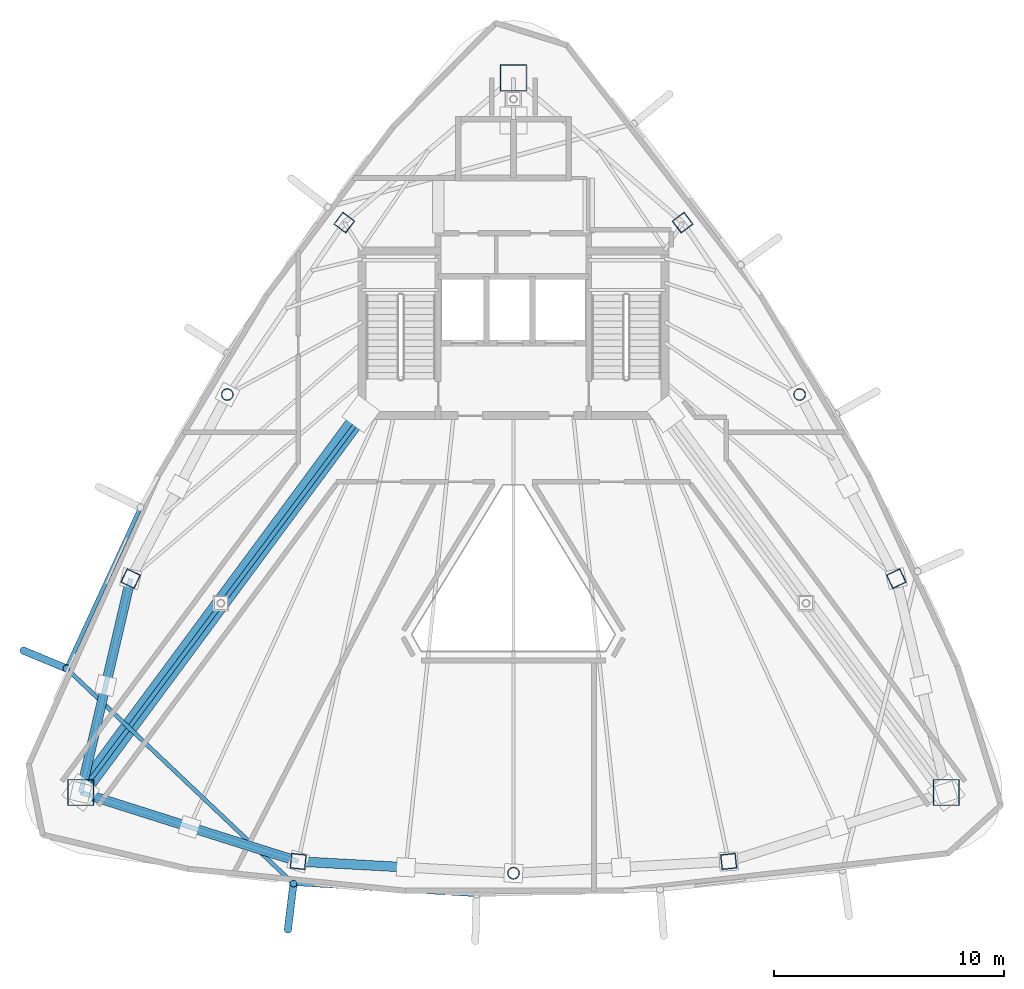
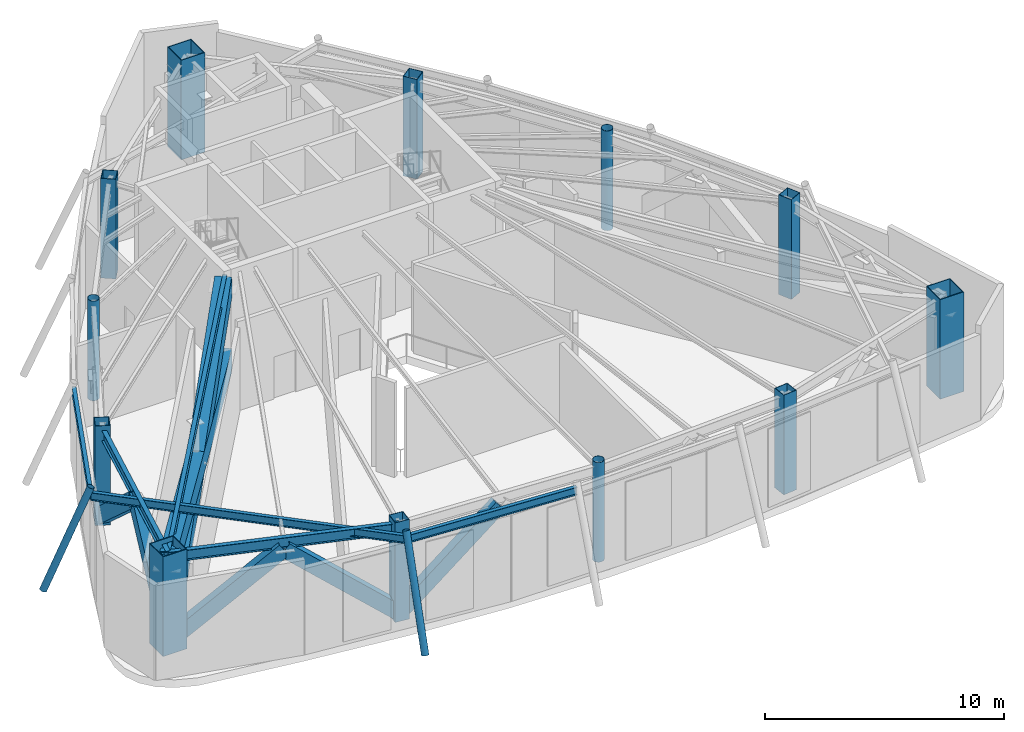
# One storey, part 1 of 9: 12 columns, 9 members, 6 beams.
"""IFC4 building model written with IfcOpenShell, lengths in metres."""

from ifc_helpers import new_model, si_unit, direction, frame, origin, origin_2d, place, context, subcontext, project, spatial, hollow_rectangle, hollow_circle, i_section, extrude, material, material_profile, profile_set, type_object, element, save


model = new_model("IFC4")

# Units and contexts
model_context = context("Model", 3, precision=1e-05, world=origin(), true_north=direction((0.0, 1.0)))
body_context = subcontext(model_context, "Body", "Model", "MODEL_VIEW")
ifc_project = project(units=[si_unit("LENGTHUNIT", "METRE"), si_unit("AREAUNIT", "SQUARE_METRE"), si_unit("VOLUMEUNIT", "CUBIC_METRE"), si_unit("PLANEANGLEUNIT", "RADIAN"), si_unit("MASSUNIT", "GRAM", prefix="KILO")], contexts=[model_context])

# Site, building, storey
site_placement = place(None, origin())
site = spatial("IfcSite", under=ifc_project, at=site_placement, CompositionType="ELEMENT")
building_placement = place(site_placement, origin())
building = spatial("IfcBuilding", under=site, at=building_placement, Name="Orvanel Arch Residences", CompositionType="ELEMENT")
storey_placement = place(building_placement, frame((0.0, 0.0, 281.0)))
storey = spatial("IfcBuildingStorey", under=building, at=storey_placement, Name="L80", CompositionType="ELEMENT", Elevation=281.0)

# Columns
ifc_material_1 = material(Name="Structural steel AS/NZS 1163 C350L0 (Grade 350)", Category="steel")
ifc_material_profile_1 = material_profile(ifc_material_1, hollow_circle(Radius=0.25390625, WallThickness=0.01611328125, at=origin_2d()), Name="CHS508x16")
ifc_profile_set_1 = profile_set([ifc_material_profile_1], Name="Structural steel AS/NZS 1163 C350L0 (Grade 350)")
column_type_1 = type_object("IfcColumnType", Name="CC-508", PredefinedType="COLUMN", material=ifc_profile_set_1)
for number, where, z_axis, x_axis, name in (
    (1, (20.569091796875, 27.64111328125, 0.0), (0.0, 0.0, 1.0), (1.0, 0.0, 0.0), "L80 High-Rise Tube Column 02"),
    (2, (33.0, 6.843994140625, 0.0), (0.0, 0.0, 1.0), (1.0, 0.0, 0.0), "L80 High-Rise Tube Column 05"),
    (3, (45.430908203125, 27.64111328125, 0.0), (0.0, 0.0, 1.0), (1.0, 0.0, 0.0), "L80 High-Rise Tube Column 08"),
):
    element("IfcColumn", number, at=place(storey_placement, frame(where, z_axis=z_axis, x_axis=x_axis)), inside=storey, type_object=column_type_1, Name=name, PredefinedType="COLUMN", context=body_context, shape_type="SweptSolid", body=[
        extrude(hollow_circle(Radius=0.25390625, WallThickness=0.01611328125, at=origin_2d()), origin(), (0.0, 0.0, 1.0), 5.10009765625),
    ])
ifc_material_2 = material(Name="Structural steel AS/NZS 3678 Grade 450", Category="steel")
ifc_material_profile_2 = material_profile(ifc_material_2, hollow_rectangle(XDim=1.14990234375, YDim=1.14990234375, WallThickness=0.035888671875, at=origin_2d()), Name="BOX1150x1150x36")
ifc_profile_set_2 = profile_set([ifc_material_profile_2], Name="Structural steel AS/NZS 3678 Grade 450")
column_type_2 = type_object("IfcColumnType", Name="MC-1150", PredefinedType="COLUMN", material=ifc_profile_set_2)
for number, where, z_axis, x_axis, name in (
    (4, (33.0, 41.39794921875, 0.0), (0.0, 0.0, 1.0), (1.0, 0.0, 0.0), "L80 Corner Mega-Column 1"),
    (5, (14.198974609375, 10.35107421875, 0.0), (0.0, 0.0, 1.0), (1.0, 0.0, 0.0), "L80 Corner Mega-Column 2"),
    (6, (51.801025390625, 10.35107421875, 0.0), (0.0, 0.0, 1.0), (1.0, 0.0, 0.0), "L80 Corner Mega-Column 3"),
):
    element("IfcColumn", number, at=place(storey_placement, frame(where, z_axis=z_axis, x_axis=x_axis)), inside=storey, type_object=column_type_2, Name=name, PredefinedType="COLUMN", context=body_context, shape_type="SweptSolid", body=[
        extrude(hollow_rectangle(XDim=1.14990234375, YDim=1.14990234375, WallThickness=0.035888671875, at=origin_2d()), origin(), (0.0, 0.0, 1.0), 5.10009765625),
    ])
ifc_material_3 = material(Name="Structural steel AS/NZS 3678 Grade 350", Category="steel")
ifc_material_profile_3 = material_profile(ifc_material_3, hollow_rectangle(XDim=0.64990234375, YDim=0.64990234375, WallThickness=0.02197265625, at=origin_2d()), Name="BOX650x650x22")
ifc_profile_set_3 = profile_set([ifc_material_profile_3], Name="Structural steel AS/NZS 3678 Grade 350")
column_type_3 = type_object("IfcColumnType", Name="TC-650", PredefinedType="COLUMN", material=ifc_profile_set_3)
for number, where, z_axis, x_axis, name in (
    (7, (25.64794921875, 35.113037109375, 0.0), (0.0, 0.0, 1.0), (0.600420225326, 0.799684658487, 0.0), "L80 High-Rise Tube Column 01"),
    (8, (16.366943359375, 19.64208984375, 0.0), (0.0, 0.0, 1.0), (0.422618261741, 0.906307787037, 0.0), "L80 High-Rise Tube Column 03"),
    (9, (23.64892578125, 7.35498046875, 0.0), (0.0, 0.0, 1.0), (-0.994880708829, 0.101056297183, 0.0), "L80 High-Rise Tube Column 04"),
    (10, (42.35107421875, 7.35498046875, 0.0), (0.0, 0.0, 1.0), (0.994880708829, 0.101056297183, 0.0), "L80 High-Rise Tube Column 06"),
    (11, (49.633056640625, 19.64208984375, 0.0), (0.0, 0.0, 1.0), (-0.422618261741, 0.906307787037, 0.0), "L80 High-Rise Tube Column 07"),
    (12, (40.35205078125, 35.113037109375, 0.0), (0.0, 0.0, 1.0), (-0.600420225326, 0.799684658487, 0.0), "L80 High-Rise Tube Column 09"),
):
    element("IfcColumn", number, at=place(storey_placement, frame(where, z_axis=z_axis, x_axis=x_axis)), inside=storey, type_object=column_type_3, Name=name, PredefinedType="COLUMN", context=body_context, shape_type="SweptSolid", body=[
        extrude(hollow_rectangle(XDim=0.64990234375, YDim=0.64990234375, WallThickness=0.02197265625, at=origin_2d()), origin(), (0.0, 0.0, 1.0), 5.10009765625),
    ])

# Beam
ifc_material_4 = material(Name="Structural steel AS/NZS 3679.1 Grade 300 (300 MPa)", Category="steel")
ifc_material_profile_4 = material_profile(ifc_material_4, i_section(OverallWidth=0.19091796875, OverallDepth=0.4599609375, WebThickness=0.010009765625, FlangeThickness=0.01611328125, at=origin_2d()), Name="460UB82.1")
ifc_profile_set_4 = profile_set([ifc_material_profile_4], Name="Structural steel AS/NZS 3679.1 Grade 300 (300 MPa)")
beam_type_1 = type_object("IfcBeamType", Name="BG-460UB", PredefinedType="BEAM", material=ifc_profile_set_4)
beam_1_placement = place(storey_placement, frame((26.375, 26.675048828125, 4.6201171875), z_axis=(-0.597893733742, -0.801575375839, 0.0), x_axis=(0.801575375839, -0.597893733742, 0.0)))
element("IfcBeam", 13, at=beam_1_placement, inside=storey, type_object=beam_type_1, Name="L80 South-West Radial Girder", PredefinedType="BEAM", context=body_context, shape_type="SweptSolid", body=[
    extrude(i_section(OverallWidth=0.19091796875, OverallDepth=0.4599609375, WebThickness=0.010009765625, FlangeThickness=0.01611328125, at=origin_2d()), origin(), (0.0, 0.0, 1.0), 20.36474609375),
])

# Members
ifc_material_profile_5 = material_profile(ifc_material_3, hollow_rectangle(XDim=0.419921875, YDim=0.719970703125, WallThickness=0.02490234375, at=origin_2d()), Name="RHS720x420x25")
ifc_profile_set_5 = profile_set([ifc_material_profile_5], Name="Structural steel AS/NZS 3678 Grade 350")
member_type_1 = type_object("IfcMemberType", Name="BR-720RHS", PredefinedType="BRACE", material=ifc_profile_set_5)
member_1_placement = place(storey_placement, frame((16.366943359375, 19.64208984375, 0.300048828125), z_axis=(-0.174132680024, -0.746182065347, 0.642565276919), x_axis=(0.973834413485, -0.227258740454, 0.0)))
element("IfcMember", 14, at=member_1_placement, inside=storey, type_object=member_type_1, Name="L80 Belt-Truss Chevron 01.1", PredefinedType="BRACE", context=body_context, shape_type="SweptSolid", body=[
    extrude(hollow_rectangle(XDim=0.419921875, YDim=0.719970703125, WallThickness=0.02490234375, at=origin_2d()), origin(), (0.0, 0.0, 1.0), 6.22509765625),
])
member_2_placement = place(storey_placement, frame((14.198974609375, 10.35107421875, 0.300048828125), z_axis=(0.17411229779, 0.746251582645, 0.642490064638), x_axis=(-0.973844984311, 0.227213438273, 0.0)))
element("IfcMember", 15, at=member_2_placement, inside=storey, type_object=member_type_1, Name="L80 Belt-Truss Chevron 01.2", PredefinedType="BRACE", context=body_context, shape_type="SweptSolid", body=[
    extrude(hollow_rectangle(XDim=0.419921875, YDim=0.719970703125, WallThickness=0.02490234375, at=origin_2d()), origin(), (0.0, 0.0, 1.0), 6.225830078125),
])
member_3_placement = place(storey_placement, frame((14.198974609375, 10.35107421875, 0.300048828125), z_axis=(0.741830319421, -0.235190184973, 0.627991523892), x_axis=(0.30221548031, 0.953239635905, 0.0)))
element("IfcMember", 16, at=member_3_placement, inside=storey, type_object=member_type_1, Name="L80 Belt-Truss Chevron 02.1", PredefinedType="BRACE", context=body_context, shape_type="SweptSolid", body=[
    extrude(hollow_rectangle(XDim=0.419921875, YDim=0.719970703125, WallThickness=0.02490234375, at=origin_2d()), origin(), (0.0, 0.0, 1.0), 6.36962890625),
])
member_4_placement = place(storey_placement, frame((23.64892578125, 7.35498046875, 0.300048828125), z_axis=(-0.741813082351, 0.23519687249, 0.628009380522), x_axis=(-0.302229669889, -0.953235137119, 0.0)))
element("IfcMember", 17, at=member_4_placement, inside=storey, type_object=member_type_1, Name="L80 Belt-Truss Chevron 02.2", PredefinedType="BRACE", context=body_context, shape_type="SweptSolid", body=[
    extrude(hollow_rectangle(XDim=0.419921875, YDim=0.719970703125, WallThickness=0.02490234375, at=origin_2d()), origin(), (0.0, 0.0, 1.0), 6.369384765625),
])
member_5_placement = place(storey_placement, frame((23.64892578125, 7.35498046875, 0.300048828125), z_axis=(0.759249328151, -0.04138549045, 0.6494826394), x_axis=(0.054427635214, 0.998517717682, 0.0)))
element("IfcMember", 18, at=member_5_placement, inside=storey, type_object=member_type_1, Name="L80 Belt-Truss Chevron 03.1", PredefinedType="BRACE", context=body_context, shape_type="SweptSolid", body=[
    extrude(hollow_rectangle(XDim=0.419921875, YDim=0.719970703125, WallThickness=0.02490234375, at=origin_2d()), origin(), (0.0, 0.0, 1.0), 6.15869140625),
])

# Beams
ifc_material_profile_6 = material_profile(ifc_material_4, i_section(OverallWidth=0.177978515625, OverallDepth=0.406005859375, WebThickness=0.0078125, FlangeThickness=0.0126953125, at=origin_2d()), Name="410UB59.7")
ifc_profile_set_6 = profile_set([ifc_material_profile_6], Name="Structural steel AS/NZS 3679.1 Grade 300 (300 MPa)")
beam_type_2 = type_object("IfcBeamType", Name="OB-410UB-EXT", PredefinedType="SPANDREL", material=ifc_profile_set_6)
beam_2_placement = place(storey_placement, frame((16.794921875, 22.73388671875, 4.64697265625), z_axis=(-0.417937545069, -0.908475761054, 0.0), x_axis=(0.908475761054, -0.417937545069, 0.0)))
element("IfcBeam", 19, at=beam_2_placement, inside=storey, type_object=beam_type_2, Name="L80 Outer Perimeter Floor Ring Beam 03", PredefinedType="SPANDREL", context=body_context, shape_type="SweptSolid", body=[
    extrude(i_section(OverallWidth=0.177978515625, OverallDepth=0.406005859375, WebThickness=0.0078125, FlangeThickness=0.0126953125, at=origin_2d()), origin(), (0.0, 0.0, 1.0), 7.697509765625),
])
beam_3_placement = place(storey_placement, frame((13.577880859375, 15.740966796875, 4.64697265625), z_axis=(0.72587667187, -0.687824873958, 0.0), x_axis=(0.687824873958, 0.72587667187, 0.0)))
element("IfcBeam", 20, at=beam_3_placement, inside=storey, type_object=beam_type_2, Name="L80 Outer Perimeter Floor Ring Beam 04", PredefinedType="SPANDREL", context=body_context, shape_type="SweptSolid", body=[
    extrude(i_section(OverallWidth=0.177978515625, OverallDepth=0.406005859375, WebThickness=0.0078125, FlangeThickness=0.0126953125, at=origin_2d()), origin(), (0.0, 0.0, 1.0), 13.589111328125),
])
beam_4_placement = place(storey_placement, frame((23.44189453125, 6.39404296875, 4.64697265625), z_axis=(0.998146745254, -0.060852895889, 0.0), x_axis=(0.060852895889, 0.998146745254, 0.0)))
element("IfcBeam", 21, at=beam_4_placement, inside=storey, type_object=beam_type_2, Name="L80 Outer Perimeter Floor Ring Beam 05", PredefinedType="SPANDREL", context=body_context, shape_type="SweptSolid", body=[
    extrude(i_section(OverallWidth=0.177978515625, OverallDepth=0.406005859375, WebThickness=0.0078125, FlangeThickness=0.0126953125, at=origin_2d()), origin(), (0.0, 0.0, 1.0), 7.971923828125),
])

# Members
ifc_material_profile_7 = material_profile(ifc_material_3, hollow_rectangle(XDim=0.719970703125, YDim=1.10009765625, WallThickness=0.035888671875, at=origin_2d()), Name="BOX1100x720x36")
ifc_profile_set_7 = profile_set([ifc_material_profile_7], Name="Structural steel AS/NZS 3678 Grade 350")
member_type_2 = type_object("IfcMemberType", Name="OR-1100BOX", PredefinedType="BRACE", material=ifc_profile_set_7)
for number, where, z_axis, x_axis, name in (
    (22, (26.375, 26.800048828125, 0.39990234375), (-0.584963645402, -0.790245736349, 0.182562892561), (0.803753474747, -0.594962479348, 0.0), "L80 Core Outrigger Brace 2-1"),
    (23, (26.375, 26.800048828125, 4.199951171875), (-0.584963645402, -0.790245736349, -0.182562892561), (0.803753474747, -0.594962479348, 0.0), "L80 Core Outrigger Brace 2-2"),
):
    element("IfcMember", number, at=place(storey_placement, frame(where, z_axis=z_axis, x_axis=x_axis)), inside=storey, type_object=member_type_2, Name=name, PredefinedType="BRACE", context=body_context, shape_type="SweptSolid", body=[
        extrude(hollow_rectangle(XDim=0.719970703125, YDim=1.10009765625, WallThickness=0.035888671875, at=origin_2d()), origin(), (0.0, 0.0, 1.0), 20.81494140625),
    ])

# Beams
ifc_material_profile_8 = material_profile(ifc_material_4, i_section(OverallWidth=0.208984375, OverallDepth=0.532958984375, WebThickness=0.01025390625, FlangeThickness=0.015625, at=origin_2d()), Name="530UB92.4")
ifc_profile_set_8 = profile_set([ifc_material_profile_8], Name="Structural steel AS/NZS 3679.1 Grade 300 (300 MPa)")
beam_type_3 = type_object("IfcBeamType", Name="SP-530UB", PredefinedType="SPANDREL", material=ifc_profile_set_8)
beam_5_placement = place(storey_placement, frame((16.366943359375, 19.64208984375, 4.583984375), z_axis=(-0.227236087167, -0.973839699688, 0.0), x_axis=(0.973839699688, -0.227236087167, 0.0)))
element("IfcBeam", 24, at=beam_5_placement, inside=storey, type_object=beam_type_3, Name="L80 Perimeter Spandrel Beam 01", PredefinedType="SPANDREL", context=body_context, shape_type="SweptSolid", body=[
    extrude(i_section(OverallWidth=0.208984375, OverallDepth=0.532958984375, WebThickness=0.01025390625, FlangeThickness=0.015625, at=origin_2d()), origin(), (0.0, 0.0, 1.0), 9.54052734375),
])
beam_6_placement = place(storey_placement, frame((14.198974609375, 10.35107421875, 4.583984375), z_axis=(0.953237386592, -0.302222574941, 0.0), x_axis=(0.302222574941, 0.953237386592, 0.0)))
element("IfcBeam", 25, at=beam_6_placement, inside=storey, type_object=beam_type_3, Name="L80 Perimeter Spandrel Beam 02", PredefinedType="SPANDREL", context=body_context, shape_type="SweptSolid", body=[
    extrude(i_section(OverallWidth=0.208984375, OverallDepth=0.532958984375, WebThickness=0.01025390625, FlangeThickness=0.015625, at=origin_2d()), origin(), (0.0, 0.0, 1.0), 9.91357421875),
])

# Members
ifc_material_profile_9 = material_profile(ifc_material_1, hollow_circle(Radius=0.162109375, WallThickness=0.0126953125, at=origin_2d()), Name="CHS324x12.7")
ifc_profile_set_9 = profile_set([ifc_material_profile_9], Name="Structural steel AS/NZS 1163 C350L0 (Grade 350)")
member_type_3 = type_object("IfcMemberType", Name="ST-324CHS-EXT", PredefinedType="STRUT", material=ifc_profile_set_9)
member_6_placement = place(storey_placement, frame((11.712890625, 16.514892578125, 0.0), z_axis=(0.339999947248, -0.141091744047, 0.92978124074), x_axis=(0.38328426103, 0.923630432179, 0.0)))
element("IfcMember", 26, at=member_6_placement, inside=storey, type_object=member_type_3, Name="L80 Outer Perimeter Frame Post 04", PredefinedType="STRUT", context=body_context, shape_type="SweptSolid", body=[
    extrude(hollow_circle(Radius=0.162109375, WallThickness=0.0126953125, at=origin_2d()), origin(), (0.0, 0.0, 1.0), 5.4853515625),
])
member_7_placement = place(storey_placement, frame((23.198974609375, 4.387939453125, 0.0), z_axis=(0.044281250138, 0.365687469733, 0.929683734055), x_axis=(-0.992748207257, 0.12021229965, 0.0)))
element("IfcMember", 27, at=member_7_placement, inside=storey, type_object=member_type_3, Name="L80 Outer Perimeter Frame Post 05", PredefinedType="STRUT", context=body_context, shape_type="SweptSolid", body=[
    extrude(hollow_circle(Radius=0.162109375, WallThickness=0.0126953125, at=origin_2d()), origin(), (0.0, 0.0, 1.0), 5.48583984375),
])

save(model, "model.ifc")
